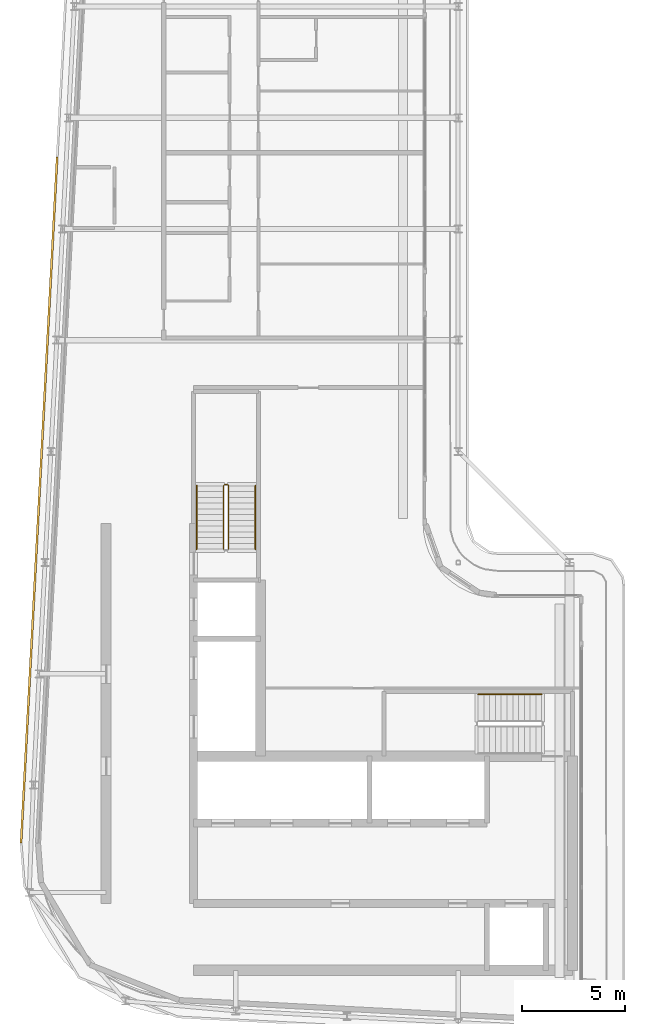
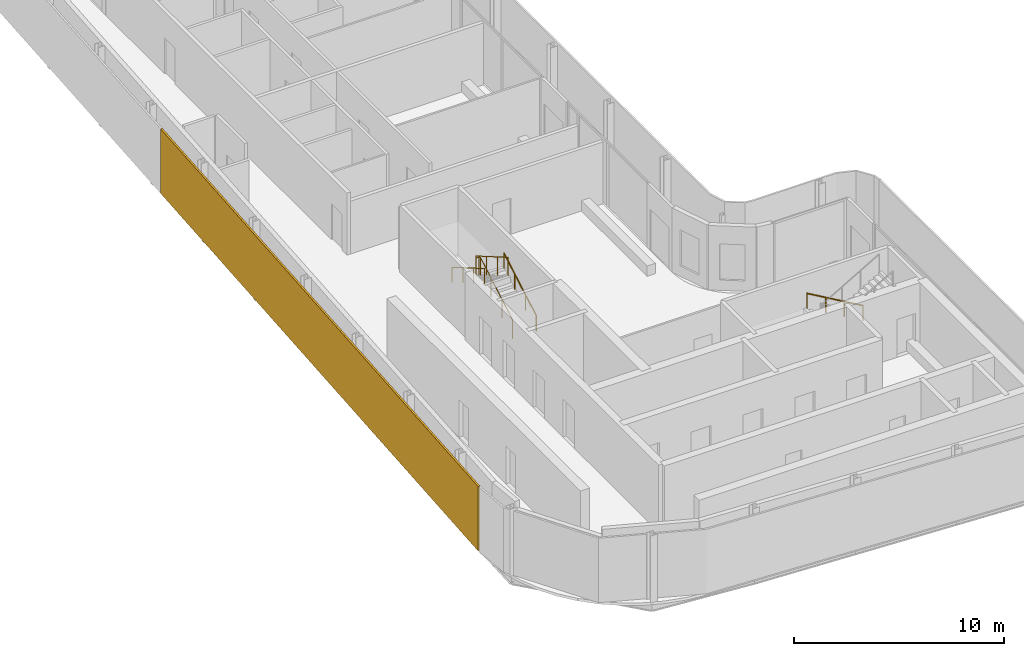
# One storey, part 15 of 18: 4 railings, 1 shading device.
"""IFC4 building model written with IfcOpenShell, lengths in metres."""

from ifc_helpers import new_model, si_unit, direction, frame, origin, origin_2d, place, context, subcontext, project, spatial, rectangle, circle, extrude, material, layer, layer_set, type_object, element, save


model = new_model("IFC4")

# Units and contexts
model_context = context("Model", 3, precision=1e-05, world=origin(), true_north=direction((0.0, 1.0)))
body_context = subcontext(model_context, "Body", "Model", "MODEL_VIEW")
ifc_project = project(units=[si_unit("LENGTHUNIT", "METRE"), si_unit("AREAUNIT", "SQUARE_METRE"), si_unit("VOLUMEUNIT", "CUBIC_METRE"), si_unit("PLANEANGLEUNIT", "RADIAN"), si_unit("MASSUNIT", "GRAM", prefix="KILO")], contexts=[model_context])

# Site, building, storey
site_placement = place(None, origin())
site = spatial("IfcSite", under=ifc_project, at=site_placement, CompositionType="ELEMENT")
building_placement = place(site_placement, origin())
building = spatial("IfcBuilding", under=site, at=building_placement, Name="Kheshtan School and Residences Tower", CompositionType="ELEMENT")
storey_placement = place(building_placement, frame((0.0, 0.0, 365.60009765625)))
storey = spatial("IfcBuildingStorey", under=building, at=storey_placement, Name="L86", CompositionType="ELEMENT", Elevation=365.60009765625)

# Shading device
ifc_material_1 = material(Name="Terracotta baguette, extruded ceramic", Category="masonry")
ifc_layer = layer(ifc_material_1, 0.10009765625)
ifc_layer_set = layer_set([ifc_layer], Name="Ledge screen, terracotta baguettes")
shading_device_type = type_object("IfcShadingDeviceType", Name="Ledge screen, terracotta baguettes", PredefinedType="USERDEFINED", material=ifc_layer_set)
shading_device_placement = place(storey_placement, frame((27.24609375, 48.638916015625, 0.0), z_axis=(0.0, 0.0, 1.0), x_axis=(0.052562536748, 0.998617634398, 0.0)))
element("IfcShadingDevice", 1, at=shading_device_placement, inside=storey, type_object=shading_device_type, Name="Screen L86 4", ObjectType="BAGUETTE", PredefinedType="USERDEFINED", context=body_context, shape_type="SweptSolid", body=[
    extrude(rectangle(XDim=33.341064453125, YDim=0.10009765625, at=origin_2d()), origin(), (0.0, 0.0, 1.0), 3.75),
])

# Railings
ifc_material_2 = material(Name="Stainless steel balustrade", Category="steel")
railing_type_1 = type_object("IfcRailingType", Name="Stair guard 1100", PredefinedType="GUARDRAIL", material=ifc_material_2)
railing_1_placement = place(storey_placement, frame((36.449951171875, 46.25, 0.162353515625)))
element("IfcRailing", 2, at=railing_1_placement, inside=storey, type_object=railing_type_1, Name="L86 ST2 stair guard 1", PredefinedType="GUARDRAIL", context=body_context, shape_type="SweptSolid", body=[
    extrude(circle(Radius=0.02392578125, at=origin_2d()), frame((0.0, 0.0, 1.076171875), z_axis=(0.0, 0.864890721111, 0.501960198159), x_axis=(-1.0, 0.0, 0.0)), (0.0, 0.0, 1.0), 3.561279296875),
    extrude(circle(Radius=0.02392578125, at=origin_2d()), frame((0.0, 3.080078125, 2.86376953125), z_axis=(-0.708833529934, 0.705375805398, 0.0), x_axis=(-0.705375805398, -0.708833529934, 0.0)), (0.0, 0.0, 1.0), 0.070556640625),
    extrude(circle(Radius=0.02392578125, at=origin_2d()), frame((-0.050048828125, 3.1298828125, 2.86376953125), z_axis=(-1.0, 0.0, 0.0), x_axis=(0.0, -1.0, 0.0)), (0.0, 0.0, 1.0), 0.14990234375),
    extrude(circle(Radius=0.02392578125, at=origin_2d()), frame((-0.199951171875, 3.1298828125, 2.86376953125), z_axis=(-0.282693820306, -0.281314826061, 0.917031173188), x_axis=(0.705375805398, -0.708833529934, 0.0)), (0.0, 0.0, 1.0), 0.177001953125),
    extrude(circle(Radius=0.02392578125, at=origin_2d()), frame((-0.25, 3.080078125, 3.02587890625), z_axis=(0.0, -0.864890721111, 0.501960198159), x_axis=(1.0, 0.0, 0.0)), (0.0, 0.0, 1.0), 3.561279296875),
    extrude(circle(Radius=0.02099609375, at=origin_2d()), origin(), (0.0, 0.0, 1.0), 1.052001953125),
    extrude(circle(Radius=0.02099609375, at=origin_2d()), frame((0.0, 1.026611328125, 0.595947265625)), (0.0, 0.0, 1.0), 1.052001953125),
    extrude(circle(Radius=0.02099609375, at=origin_2d()), frame((0.0, 2.053466796875, 1.191650390625)), (0.0, 0.0, 1.0), 1.052001953125),
    extrude(circle(Radius=0.02099609375, at=origin_2d()), frame((0.0, 3.080078125, 1.78759765625)), (0.0, 0.0, 1.0), 1.052001953125),
    extrude(circle(Radius=0.02099609375, at=origin_2d()), frame((-0.050048828125, 3.1298828125, 1.78759765625)), (0.0, 0.0, 1.0), 1.052001953125),
    extrude(circle(Radius=0.02099609375, at=origin_2d()), frame((-0.199951171875, 3.1298828125, 1.78759765625)), (0.0, 0.0, 1.0), 1.052001953125),
    extrude(circle(Radius=0.02099609375, at=origin_2d()), frame((-0.25, 3.080078125, 1.949951171875)), (0.0, 0.0, 1.0), 1.052001953125),
    extrude(circle(Radius=0.02099609375, at=origin_2d()), frame((-0.25, 2.053466796875, 2.5458984375)), (0.0, 0.0, 1.0), 1.052001953125),
    extrude(circle(Radius=0.02099609375, at=origin_2d()), frame((-0.25, 1.026611328125, 3.1416015625)), (0.0, 0.0, 1.0), 1.052001953125),
    extrude(circle(Radius=0.02099609375, at=origin_2d()), frame((-0.25, 0.0, 3.737548828125)), (0.0, 0.0, 1.0), 1.052001953125),
])
ifc_material_3 = material(Name="Stainless steel handrail", Category="steel")
railing_type_2 = type_object("IfcRailingType", Name="Stair handrail 900", PredefinedType="HANDRAIL", material=ifc_material_3)
railing_2_placement = place(storey_placement, frame((51.64990234375, 39.199951171875, 0.162353515625)))
element("IfcRailing", 3, at=railing_2_placement, inside=storey, type_object=railing_type_2, Name="L86 ST1 stair handrail 1", PredefinedType="HANDRAIL", context=body_context, shape_type="SweptSolid", body=[
    extrude(circle(Radius=0.02392578125, at=origin_2d()), frame((0.0, 0.0, 0.8759765625), z_axis=(-0.864873446163, 0.0, 0.501989962173), x_axis=(0.0, -1.0, 0.0)), (0.0, 0.0, 1.0), 3.56103515625),
    extrude(circle(Radius=0.02099609375, at=origin_2d()), origin(), (0.0, 0.0, 1.0), 0.851806640625),
    extrude(circle(Radius=0.02099609375, at=origin_2d()), frame((-1.026611328125, 0.0, 0.595947265625)), (0.0, 0.0, 1.0), 0.851806640625),
    extrude(circle(Radius=0.02099609375, at=origin_2d()), frame((-2.05322265625, 0.0, 1.191650390625)), (0.0, 0.0, 1.0), 0.851806640625),
    extrude(circle(Radius=0.02099609375, at=origin_2d()), frame((-3.079833984375, 0.0, 1.78759765625)), (0.0, 0.0, 1.0), 0.851806640625),
])
railing_3_placement = place(storey_placement, frame((37.75, 46.25, 0.162353515625)))
element("IfcRailing", 4, at=railing_3_placement, inside=storey, type_object=railing_type_2, Name="L86 ST2 stair handrail 1", PredefinedType="HANDRAIL", context=body_context, shape_type="SweptSolid", body=[
    extrude(circle(Radius=0.02392578125, at=origin_2d()), frame((0.0, 0.0, 0.8759765625), z_axis=(0.0, 0.864890721111, 0.501960198159), x_axis=(-1.0, 0.0, 0.0)), (0.0, 0.0, 1.0), 3.561279296875),
    extrude(circle(Radius=0.02099609375, at=origin_2d()), origin(), (0.0, 0.0, 1.0), 0.851806640625),
    extrude(circle(Radius=0.02099609375, at=origin_2d()), frame((0.0, 1.026611328125, 0.595947265625)), (0.0, 0.0, 1.0), 0.851806640625),
    extrude(circle(Radius=0.02099609375, at=origin_2d()), frame((0.0, 2.053466796875, 1.191650390625)), (0.0, 0.0, 1.0), 0.851806640625),
    extrude(circle(Radius=0.02099609375, at=origin_2d()), frame((0.0, 3.080078125, 1.78759765625)), (0.0, 0.0, 1.0), 0.851806640625),
])
railing_4_placement = place(storey_placement, frame((34.89990234375, 49.330078125, 2.1123046875)))
element("IfcRailing", 5, at=railing_4_placement, inside=storey, type_object=railing_type_2, Name="L86 ST2 stair handrail 2", PredefinedType="HANDRAIL", context=body_context, shape_type="SweptSolid", body=[
    extrude(circle(Radius=0.02392578125, at=origin_2d()), frame((0.0, 0.0, 0.8759765625), z_axis=(0.0, -0.864890721111, 0.501960198159), x_axis=(1.0, 0.0, 0.0)), (0.0, 0.0, 1.0), 3.561279296875),
    extrude(circle(Radius=0.02099609375, at=origin_2d()), origin(), (0.0, 0.0, 1.0), 0.851806640625),
    extrude(circle(Radius=0.02099609375, at=origin_2d()), frame((0.0, -1.026611328125, 0.595947265625)), (0.0, 0.0, 1.0), 0.851806640625),
    extrude(circle(Radius=0.02099609375, at=origin_2d()), frame((0.0, -2.053466796875, 1.191650390625)), (0.0, 0.0, 1.0), 0.851806640625),
    extrude(circle(Radius=0.02099609375, at=origin_2d()), frame((0.0, -3.080078125, 1.78759765625)), (0.0, 0.0, 1.0), 0.851806640625),
])

save(model, "model.ifc")
